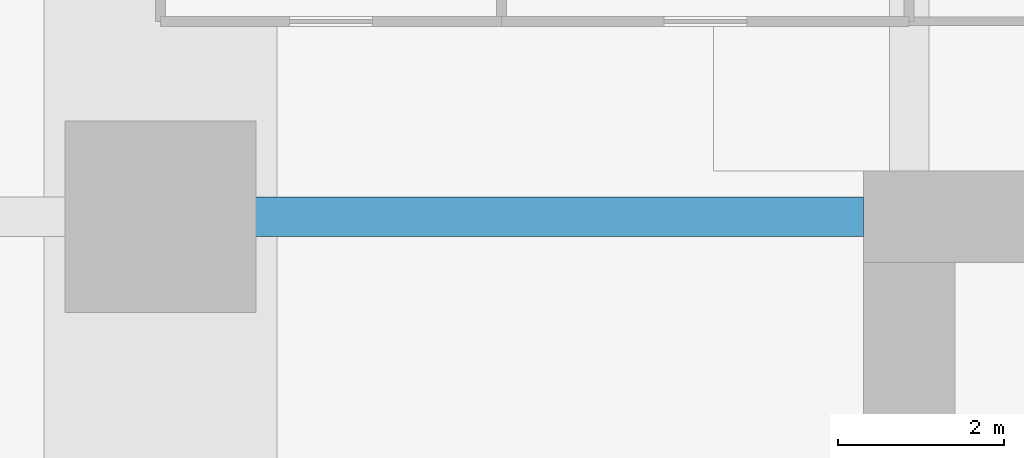
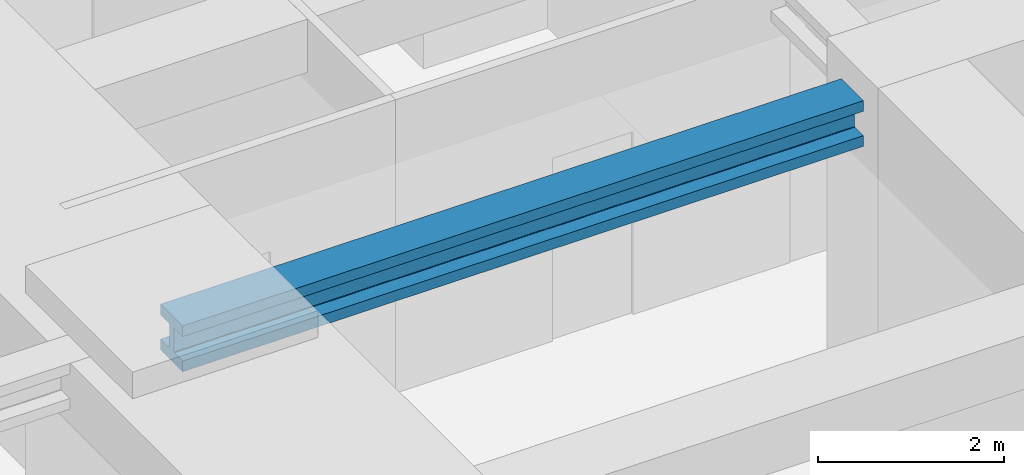
# One storey, part 24 of 39: 1 beam.
"""IFC4 building model written with IfcOpenShell, lengths in metres."""

from ifc_helpers import new_model, si_unit, direction, frame, origin, origin_2d, place, context, subcontext, project, spatial, i_section, extrude, material, material_profile, profile_set, type_object, element, save


model = new_model("IFC4")

# Units and contexts
model_context = context("Model", 3, precision=1e-05, world=origin(), true_north=direction((0.0, 1.0)))
body_context = subcontext(model_context, "Body", "Model", "MODEL_VIEW")
ifc_project = project(units=[si_unit("LENGTHUNIT", "METRE"), si_unit("AREAUNIT", "SQUARE_METRE"), si_unit("VOLUMEUNIT", "CUBIC_METRE"), si_unit("PLANEANGLEUNIT", "RADIAN"), si_unit("MASSUNIT", "GRAM", prefix="KILO")], contexts=[model_context])

# Site, building, storey
site_placement = place(None, origin())
site = spatial("IfcSite", under=ifc_project, at=site_placement, CompositionType="ELEMENT")
building_placement = place(site_placement, origin())
building = spatial("IfcBuilding", under=site, at=building_placement, Name="Zorevar Civic Tower", CompositionType="ELEMENT")
storey_placement = place(building_placement, frame((0.0, 0.0, 230.199951171875)))
storey = spatial("IfcBuildingStorey", under=building, at=storey_placement, Name="L56", CompositionType="ELEMENT", Elevation=230.199951171875)

# Beam
ifc_material = material(Name="Steel S460M (HISTAR 460)", Category="steel")
ifc_material_profile = material_profile(ifc_material, i_section(OverallWidth=0.47607421875, OverallDepth=0.60009765625, WebThickness=0.10009765625, FlangeThickness=0.139892578125, FilletRadius=0.014892578125, at=origin_2d()), Name="HD 400x1299")
ifc_profile_set = profile_set([ifc_material_profile], Name="Steel S460M (HISTAR 460)")
beam_type = type_object("IfcBeamType", Name="Outrigger chord HD 400x1299", PredefinedType="BEAM", material=ifc_profile_set)
beam_placement = place(storey_placement, frame((9.0, 36.0, 3.550048828125), z_axis=(1.0, 0.0, 0.0), x_axis=(0.0, 1.0, 0.0)))
element("IfcBeam", 1, at=beam_placement, inside=storey, type_object=beam_type, Name="Outrigger chord L57", PredefinedType="BEAM", context=body_context, shape_type="SweptSolid", body=[
    extrude(i_section(OverallWidth=0.47607421875, OverallDepth=0.60009765625, WebThickness=0.10009765625, FlangeThickness=0.139892578125, FilletRadius=0.014892578125, at=origin_2d()), origin(), (0.0, 0.0, 1.0), 8.449951171875),
])

save(model, "model.ifc")
